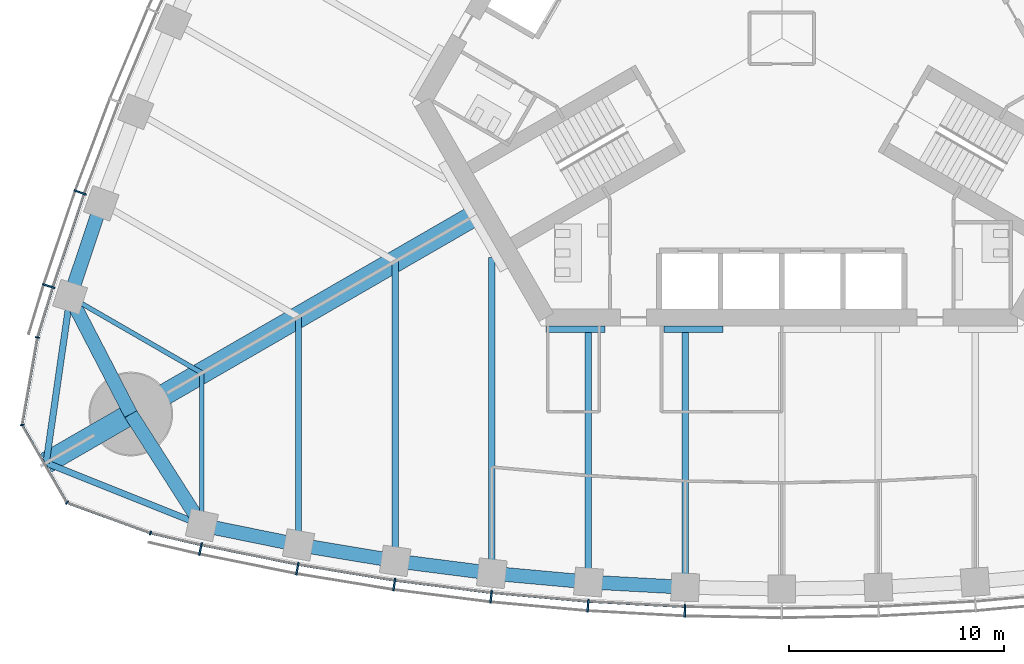
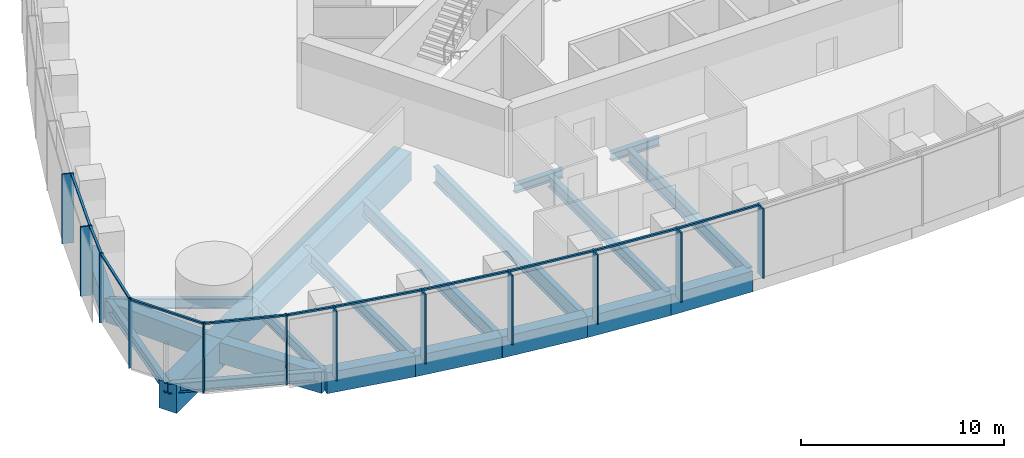
# One storey, part 2 of 19: 23 members, 21 beams, 3 elements without a shape of their own.
"""IFC4 building model written with IfcOpenShell, lengths in metres."""

from ifc_helpers import new_model, si_unit, direction, frame, origin, origin_2d, place, context, subcontext, project, spatial, rectangle, i_section, extrude, material, material_profile, profile_set, type_object, element, aggregate, save


model = new_model("IFC4")

# Units and contexts
model_context = context("Model", 3, precision=1e-05, world=origin(), true_north=direction((0.0, 1.0)))
body_context = subcontext(model_context, "Body", "Model", "MODEL_VIEW")
ifc_project = project(units=[si_unit("LENGTHUNIT", "METRE"), si_unit("AREAUNIT", "SQUARE_METRE"), si_unit("VOLUMEUNIT", "CUBIC_METRE"), si_unit("PLANEANGLEUNIT", "RADIAN"), si_unit("MASSUNIT", "GRAM", prefix="KILO")], contexts=[model_context])

# Site, building, storey
site_placement = place(None, origin())
site = spatial("IfcSite", under=ifc_project, at=site_placement, CompositionType="ELEMENT")
building_placement = place(site_placement, origin())
building = spatial("IfcBuilding", under=site, at=building_placement, Name="Trefoil Bronze Tower", CompositionType="ELEMENT")
storey_placement = place(building_placement, frame((0.0, 0.0, 124.10009765625)))
storey = spatial("IfcBuildingStorey", under=building, at=storey_placement, Name="L28", CompositionType="ELEMENT", Elevation=124.10009765625)

# Curtain wall, members
ifc_material_1 = material(Name="Tinted solar-control glass", Category="glass")
curtain_wall_type_1 = type_object("IfcCurtainWallType", Name="Bronze office curtain wall", PredefinedType="USERDEFINED", material=ifc_material_1)
curtain_wall_1_placement = place(storey_placement, origin())
curtain_wall_1 = element("IfcCurtainWall", 1, at=curtain_wall_1_placement, inside=storey, type_object=curtain_wall_type_1, Name="CW-A L28 F1", ObjectType="CURTAIN WALL", PredefinedType="USERDEFINED")
ifc_material_2 = material(Name="Bronze-finish aluminium", Category="aluminium")
ifc_material_profile_1 = material_profile(ifc_material_2, rectangle(XDim=0.60009765625, YDim=0.080078125, at=origin_2d()), Name="CW-A mullion")
ifc_profile_set_1 = profile_set([ifc_material_profile_1], Name="Bronze-finish aluminium")
member_type_1 = type_object("IfcMemberType", Name="Bronze office curtain wall mullion", PredefinedType="MULLION", material=ifc_profile_set_1)
member_1_placement = place(storey_placement, frame((-27.0634765625, -23.7890625, 0.0), z_axis=(0.0, 0.0, 1.0), x_axis=(0.21197042503, 0.977276081214, 0.0)))
member_1 = element("IfcMember", 2, at=member_1_placement, type_object=member_type_1, Name="CW-A L28 F1 mullion 2", PredefinedType="MULLION", context=body_context, shape_type="SweptSolid", body=[
    extrude(rectangle(XDim=0.60009765625, YDim=0.080078125, at=origin_2d()), origin(), (0.0, 0.0, 1.0), 4.179931640625),
])
member_2_placement = place(storey_placement, frame((-22.553955078125, -24.700927734375, 0.0), z_axis=(0.0, 0.0, 1.0), x_axis=(0.180240853954, 0.98362250613, 0.0)))
member_2 = element("IfcMember", 3, at=member_2_placement, type_object=member_type_1, Name="CW-A L28 F1 mullion 3", PredefinedType="MULLION", context=body_context, shape_type="SweptSolid", body=[
    extrude(rectangle(XDim=0.60009765625, YDim=0.080078125, at=origin_2d()), origin(), (0.0, 0.0, 1.0), 4.179931640625),
])
member_3_placement = place(storey_placement, frame((-18.043212890625, -25.4423828125, 0.0), z_axis=(0.0, 0.0, 1.0), x_axis=(0.144192103798, 0.989549714366, 0.0)))
member_3 = element("IfcMember", 4, at=member_3_placement, type_object=member_type_1, Name="CW-A L28 F1 mullion 4", PredefinedType="MULLION", context=body_context, shape_type="SweptSolid", body=[
    extrude(rectangle(XDim=0.60009765625, YDim=0.080078125, at=origin_2d()), origin(), (0.0, 0.0, 1.0), 4.179931640625),
])
member_4_placement = place(storey_placement, frame((-13.532470703125, -26.01611328125, 0.0), z_axis=(0.0, 0.0, 1.0), x_axis=(0.108143747013, 0.994135267447, 0.0)))
member_4 = element("IfcMember", 5, at=member_4_placement, type_object=member_type_1, Name="CW-A L28 F1 mullion 5", PredefinedType="MULLION", context=body_context, shape_type="SweptSolid", body=[
    extrude(rectangle(XDim=0.60009765625, YDim=0.080078125, at=origin_2d()), origin(), (0.0, 0.0, 1.0), 4.179931640625),
])
member_5_placement = place(storey_placement, frame((-9.021728515625, -26.424072265625, 0.0), z_axis=(0.0, 0.0, 1.0), x_axis=(0.072095676284, 0.997397720802, 0.0)))
member_5 = element("IfcMember", 6, at=member_5_placement, type_object=member_type_1, Name="CW-A L28 F1 mullion 6", PredefinedType="MULLION", context=body_context, shape_type="SweptSolid", body=[
    extrude(rectangle(XDim=0.60009765625, YDim=0.080078125, at=origin_2d()), origin(), (0.0, 0.0, 1.0), 4.179931640625),
])
member_6_placement = place(storey_placement, frame((-4.5107421875, -26.66845703125, 0.0), z_axis=(0.0, 0.0, 1.0), x_axis=(0.036047792107, 0.999350067136, 0.0)))
member_6 = element("IfcMember", 7, at=member_6_placement, type_object=member_type_1, Name="CW-A L28 F1 mullion 7", PredefinedType="MULLION", context=body_context, shape_type="SweptSolid", body=[
    extrude(rectangle(XDim=0.60009765625, YDim=0.080078125, at=origin_2d()), origin(), (0.0, 0.0, 1.0), 4.179931640625),
])

curtain_wall_2_placement = place(storey_placement, origin())
curtain_wall_2 = element("IfcCurtainWall", 8, at=curtain_wall_2_placement, inside=storey, type_object=curtain_wall_type_1, Name="CW-A L28 F3", ObjectType="CURTAIN WALL", PredefinedType="USERDEFINED")
member_7_placement = place(storey_placement, frame((-32.668701171875, -7.181884765625, 0.0), z_axis=(0.0, 0.0, 1.0), x_axis=(0.94196250502, -0.335718094742, 0.0)))
member_7 = element("IfcMember", 9, at=member_7_placement, type_object=member_type_1, Name="CW-A L28 F3 mullion 13", PredefinedType="MULLION", context=body_context, shape_type="SweptSolid", body=[
    extrude(rectangle(XDim=0.60009765625, YDim=0.080078125, at=origin_2d()), origin(), (0.0, 0.0, 1.0), 4.179931640625),
])
member_8_placement = place(storey_placement, frame((-34.1337890625, -11.543212890625, 0.0), z_axis=(0.0, 0.0, 1.0), x_axis=(0.952331125357, -0.30506626768, 0.0)))
member_8 = element("IfcMember", 10, at=member_8_placement, type_object=member_type_1, Name="CW-A L28 F3 mullion 14", PredefinedType="MULLION", context=body_context, shape_type="SweptSolid", body=[
    extrude(rectangle(XDim=0.60009765625, YDim=0.080078125, at=origin_2d()), origin(), (0.0, 0.0, 1.0), 4.179931640625),
])

# Member
ifc_material_3 = material(Name="Bronze-finish aluminium", Category="aluminium")
ifc_material_profile_2 = material_profile(ifc_material_3, rectangle(XDim=0.1201171875, YDim=0.10009765625, at=origin_2d()), Name="CW-A transom")
ifc_profile_set_2 = profile_set([ifc_material_profile_2], Name="Bronze-finish aluminium")
member_type_2 = type_object("IfcMemberType", Name="Bronze office curtain wall transom", PredefinedType="USERDEFINED", material=ifc_profile_set_2)
member_9_placement = place(storey_placement, frame((-29.34130859375, -23.05615234375, 4.1298828125), z_axis=(0.974206243495, -0.225659467196, 0.0), x_axis=(0.225659467196, 0.974206243495, 0.0)))
member_9 = element("IfcMember", 11, at=member_9_placement, type_object=member_type_2, Name="CW-A L28 F1 transom 1", ObjectType="TRANSOM", PredefinedType="USERDEFINED", context=body_context, shape_type="SweptSolid", body=[
    extrude(rectangle(XDim=0.1201171875, YDim=0.10009765625, at=origin_2d()), origin(), (0.0, 0.0, 1.0), 2.340087890625),
])

member_10_placement = place(storey_placement, frame((-26.980712890625, -23.601806640625, 4.1298828125), z_axis=(0.980153749225, -0.198238815273, 0.0), x_axis=(0.198238815273, 0.980153749225, 0.0)))
member_10 = element("IfcMember", 12, at=member_10_placement, type_object=member_type_2, Name="CW-A L28 F1 transom 2", ObjectType="TRANSOM", PredefinedType="USERDEFINED", context=body_context, shape_type="SweptSolid", body=[
    extrude(rectangle(XDim=0.1201171875, YDim=0.10009765625, at=origin_2d()), origin(), (0.0, 0.0, 1.0), 4.51123046875),
])

member_11_placement = place(storey_placement, frame((-22.476806640625, -24.510986328125, 4.1298828125), z_axis=(0.986755265284, -0.162216048636, 0.0), x_axis=(0.162216048636, 0.986755265284, 0.0)))
member_11 = element("IfcMember", 13, at=member_11_placement, type_object=member_type_2, Name="CW-A L28 F1 transom 3", ObjectType="TRANSOM", PredefinedType="USERDEFINED", context=body_context, shape_type="SweptSolid", body=[
    extrude(rectangle(XDim=0.1201171875, YDim=0.10009765625, at=origin_2d()), origin(), (0.0, 0.0, 1.0), 4.48046875),
])

member_12_placement = place(storey_placement, frame((-17.972900390625, -25.249755859375, 4.1298828125), z_axis=(0.992008387848, -0.12617193998, 0.0), x_axis=(0.12617193998, 0.992008387848, 0.0)))
member_12 = element("IfcMember", 14, at=member_12_placement, type_object=member_type_2, Name="CW-A L28 F1 transom 4", ObjectType="TRANSOM", PredefinedType="USERDEFINED", context=body_context, shape_type="SweptSolid", body=[
    extrude(rectangle(XDim=0.1201171875, YDim=0.10009765625, at=origin_2d()), origin(), (0.0, 0.0, 1.0), 4.456298828125),
])

member_13_placement = place(storey_placement, frame((-13.46923828125, -25.821044921875, 4.1298828125), z_axis=(0.995932787062, -0.090099298863, 0.0), x_axis=(0.090099298863, 0.995932787062, 0.0)))
member_13 = element("IfcMember", 15, at=member_13_placement, type_object=member_type_2, Name="CW-A L28 F1 transom 5", ObjectType="TRANSOM", PredefinedType="USERDEFINED", context=body_context, shape_type="SweptSolid", body=[
    extrude(rectangle(XDim=0.1201171875, YDim=0.10009765625, at=origin_2d()), origin(), (0.0, 0.0, 1.0), 4.4384765625),
])

member_14_placement = place(storey_placement, frame((-8.965576171875, -26.22705078125, 4.1298828125), z_axis=(0.998538253569, -0.054049571306, 0.0), x_axis=(0.054049571306, 0.998538253569, 0.0)))
member_14 = element("IfcMember", 16, at=member_14_placement, type_object=member_type_2, Name="CW-A L28 F1 transom 6", ObjectType="TRANSOM", PredefinedType="USERDEFINED", context=body_context, shape_type="SweptSolid", body=[
    extrude(rectangle(XDim=0.1201171875, YDim=0.10009765625, at=origin_2d()), origin(), (0.0, 0.0, 1.0), 4.4267578125),
])

aggregate(curtain_wall_1, [member_1, member_2, member_3, member_4, member_5, member_6, member_9, member_10, member_11, member_12, member_13, member_14])

member_15_placement = place(storey_placement, frame((-32.49365234375, -7.28857421875, 4.1298828125), z_axis=(-0.318386323729, -0.947961048178, 0.0), x_axis=(0.947961048178, -0.318386323729, 0.0)))
member_15 = element("IfcMember", 17, at=member_15_placement, type_object=member_type_2, Name="CW-A L28 F3 transom 13", ObjectType="TRANSOM", PredefinedType="USERDEFINED", context=body_context, shape_type="SweptSolid", body=[
    extrude(rectangle(XDim=0.1201171875, YDim=0.10009765625, at=origin_2d()), origin(), (0.0, 0.0, 1.0), 4.51123046875),
])

member_16_placement = place(storey_placement, frame((-33.955322265625, -11.643798828125, 4.1298828125), z_axis=(-0.291680468798, -0.956515814883, 0.0), x_axis=(0.956515814883, -0.291680468798, 0.0)))
member_16 = element("IfcMember", 18, at=member_16_placement, type_object=member_type_2, Name="CW-A L28 F3 transom 14", ObjectType="TRANSOM", PredefinedType="USERDEFINED", context=body_context, shape_type="SweptSolid", body=[
    extrude(rectangle(XDim=0.1201171875, YDim=0.10009765625, at=origin_2d()), origin(), (0.0, 0.0, 1.0), 2.34033203125),
])

aggregate(curtain_wall_2, [member_7, member_8, member_15, member_16])

# Curtain wall, members
ifc_material_4 = material(Name="Tinted solar-control glass", Category="glass")
curtain_wall_type_2 = type_object("IfcCurtainWallType", Name="Bronze rounded corner curtain wall", PredefinedType="USERDEFINED", material=ifc_material_4)
curtain_wall_3_placement = place(storey_placement, origin())
curtain_wall_3 = element("IfcCurtainWall", 19, at=curtain_wall_3_placement, inside=storey, type_object=curtain_wall_type_2, Name="CW-B L28 K3", ObjectType="CURTAIN WALL", PredefinedType="USERDEFINED")
ifc_material_5 = material(Name="Bronze-finish aluminium", Category="aluminium")
ifc_material_profile_3 = material_profile(ifc_material_5, rectangle(XDim=0.199951171875, YDim=0.06005859375, at=origin_2d()), Name="CW-B mullion")
ifc_profile_set_3 = profile_set([ifc_material_profile_3], Name="Bronze-finish aluminium")
member_type_3 = type_object("IfcMemberType", Name="Bronze rounded corner curtain wall mullion", PredefinedType="MULLION", material=ifc_profile_set_3)
member_17_placement = place(storey_placement, frame((-34.65234375, -13.932373046875, 0.0), z_axis=(0.0, 0.0, 1.0), x_axis=(0.984807753012, -0.173648177667, 0.0)))
member_17 = element("IfcMember", 20, at=member_17_placement, type_object=member_type_3, Name="CW-B L28 K3 mullion 1", PredefinedType="MULLION", context=body_context, shape_type="SweptSolid", body=[
    extrude(rectangle(XDim=0.199951171875, YDim=0.06005859375, at=origin_2d()), origin(), (0.0, 0.0, 1.0), 4.179931640625),
])
member_18_placement = place(storey_placement, frame((-35.364990234375, -18.009033203125, 0.0), z_axis=(0.0, 0.0, 1.0), x_axis=(0.984807753012, 0.173648177667, 0.0)))
member_18 = element("IfcMember", 21, at=member_18_placement, type_object=member_type_3, Name="CW-B L28 K3 mullion 2", PredefinedType="MULLION", context=body_context, shape_type="SweptSolid", body=[
    extrude(rectangle(XDim=0.199951171875, YDim=0.06005859375, at=origin_2d()), origin(), (0.0, 0.0, 1.0), 4.179931640625),
])
member_19_placement = place(storey_placement, frame((-33.27880859375, -21.62255859375, 0.0), z_axis=(0.0, 0.0, 1.0), x_axis=(0.642787609687, 0.766044443119, 0.0)))
member_19 = element("IfcMember", 22, at=member_19_placement, type_object=member_type_3, Name="CW-B L28 K3 mullion 3", PredefinedType="MULLION", context=body_context, shape_type="SweptSolid", body=[
    extrude(rectangle(XDim=0.199951171875, YDim=0.06005859375, at=origin_2d()), origin(), (0.0, 0.0, 1.0), 4.179931640625),
])
member_20_placement = place(storey_placement, frame((-29.391845703125, -23.043701171875, 0.0), z_axis=(0.0, 0.0, 1.0), x_axis=(0.342020143326, 0.939692620786, 0.0)))
member_20 = element("IfcMember", 23, at=member_20_placement, type_object=member_type_3, Name="CW-B L28 K3 mullion 4", PredefinedType="MULLION", context=body_context, shape_type="SweptSolid", body=[
    extrude(rectangle(XDim=0.199951171875, YDim=0.06005859375, at=origin_2d()), origin(), (0.0, 0.0, 1.0), 4.179931640625),
])
ifc_material_6 = material(Name="Bronze-finish aluminium", Category="aluminium")
ifc_material_profile_4 = material_profile(ifc_material_6, rectangle(XDim=0.1201171875, YDim=0.10009765625, at=origin_2d()), Name="CW-B transom")
ifc_profile_set_4 = profile_set([ifc_material_profile_4], Name="Bronze-finish aluminium")
member_type_4 = type_object("IfcMemberType", Name="Bronze rounded corner curtain wall transom", PredefinedType="USERDEFINED", material=ifc_profile_set_4)
member_21_placement = place(storey_placement, frame((-34.657470703125, -13.9619140625, 4.1298828125), z_axis=(-0.173682016639, -0.984801785689, 0.0), x_axis=(0.984801785689, -0.173682016639, 0.0)))
member_21 = element("IfcMember", 24, at=member_21_placement, type_object=member_type_4, Name="CW-B L28 K3 transom 1", ObjectType="TRANSOM", PredefinedType="USERDEFINED", context=body_context, shape_type="SweptSolid", body=[
    extrude(rectangle(XDim=0.1201171875, YDim=0.10009765625, at=origin_2d()), origin(), (0.0, 0.0, 1.0), 4.044189453125),
])
member_22_placement = place(storey_placement, frame((-35.338134765625, -18.067626953125, 4.1298828125), z_axis=(0.500015078168, -0.866016698225, 0.0), x_axis=(0.866016698225, 0.500015078168, 0.0)))
member_22 = element("IfcMember", 25, at=member_22_placement, type_object=member_type_4, Name="CW-B L28 K3 transom 2", ObjectType="TRANSOM", PredefinedType="USERDEFINED", context=body_context, shape_type="SweptSolid", body=[
    extrude(rectangle(XDim=0.1201171875, YDim=0.10009765625, at=origin_2d()), origin(), (0.0, 0.0, 1.0), 4.04443359375),
])
member_23_placement = place(storey_placement, frame((-33.220458984375, -21.650146484375, 4.1298828125), z_axis=(0.939684096629, -0.342043562347, 0.0), x_axis=(0.342043562347, 0.939684096629, 0.0)))
member_23 = element("IfcMember", 26, at=member_23_placement, type_object=member_type_4, Name="CW-B L28 K3 transom 3", ObjectType="TRANSOM", PredefinedType="USERDEFINED", context=body_context, shape_type="SweptSolid", body=[
    extrude(rectangle(XDim=0.1201171875, YDim=0.10009765625, at=origin_2d()), origin(), (0.0, 0.0, 1.0), 4.044189453125),
])
aggregate(curtain_wall_3, [member_17, member_18, member_19, member_20, member_21, member_22, member_23])

# Beams
ifc_material_7 = material(Name="Steel C355", Category="steel")
ifc_material_profile_5 = material_profile(ifc_material_7, i_section(OverallWidth=0.300048828125, OverallDepth=0.5, WebThickness=0.014404296875, FlangeThickness=0.028076171875, FilletRadius=0.027099609375, at=origin_2d()), Name="HEB 500")
ifc_profile_set_5 = profile_set([ifc_material_profile_5], Name="Steel C355")
beam_type_1 = type_object("IfcBeamType", Name="Core seat beam HEB 500", PredefinedType="BEAM", material=ifc_profile_set_5)
for number, where, z_axis, x_axis, name in (
    (27, (-10.9697265625, -13.550048828125, -0.4501953125), (1.0, 0.0, 0.0), (0.0, 1.0, 0.0), "Core seat beam F1/-2 L28"),
    (28, (-5.48486328125, -13.550048828125, -0.4501953125), (1.0, 0.0, 0.0), (0.0, 1.0, 0.0), "Core seat beam F1/-1 L28"),
):
    element("IfcBeam", number, at=place(storey_placement, frame(where, z_axis=z_axis, x_axis=x_axis)), inside=storey, type_object=beam_type_1, Name=name, PredefinedType="BEAM", context=body_context, shape_type="SweptSolid", body=[
        extrude(i_section(OverallWidth=0.300048828125, OverallDepth=0.5, WebThickness=0.014404296875, FlangeThickness=0.028076171875, FilletRadius=0.027099609375, at=origin_2d()), origin(), (0.0, 0.0, 1.0), 2.742431640625),
    ])
ifc_material_8 = material(Name="Concrete B80", Category="concrete")
ifc_material_profile_6 = material_profile(ifc_material_8, rectangle(XDim=1.0, YDim=1.699951171875, at=origin_2d()), Name="RC 1000x1700")
ifc_profile_set_6 = profile_set([ifc_material_profile_6], Name="Concrete B80")
beam_type_2 = type_object("IfcBeamType", Name="Corner cantilever RC 1000x1700", PredefinedType="BEAM", material=ifc_profile_set_6)
beam_1_placement = place(storey_placement, frame((-30.310791015625, -17.5, -1.050048828125), z_axis=(-0.866031878637, -0.499988785058, 0.0), x_axis=(0.499988785058, -0.866031878637, 0.0)))
element("IfcBeam", 29, at=beam_1_placement, inside=storey, type_object=beam_type_2, Name="Corner cantilever K3 L28", PredefinedType="BEAM", context=body_context, shape_type="SweptSolid", body=[
    extrude(rectangle(XDim=1.0, YDim=1.699951171875, at=origin_2d()), origin(), (0.0, 0.0, 1.0), 4.54931640625),
])
ifc_material_9 = material(Name="Steel C355", Category="steel")
ifc_material_profile_7 = material_profile(ifc_material_9, i_section(OverallWidth=0.300048828125, OverallDepth=0.60009765625, WebThickness=0.015380859375, FlangeThickness=0.030029296875, FilletRadius=0.027099609375, at=origin_2d()), Name="HEB 600")
ifc_profile_set_7 = profile_set([ifc_material_profile_7], Name="Steel C355")
beam_type_3 = type_object("IfcBeamType", Name="Corner edge beam HEB 600", PredefinedType="BEAM", material=ifc_profile_set_7)
for number, where, z_axis, x_axis, name in (
    (30, (-27.0, -22.67724609375, -0.5), (-0.928375332495, 0.371643972122, 0.0), (-0.371643972122, -0.928375332495, 0.0), "Corner edge beam F1B L28"),
    (31, (-33.13916015625, -12.044189453125, -0.5), (-0.142327214588, -0.989819662357, 0.0), (0.989819662357, -0.142327214588, 0.0), "Corner edge beam F3A L28"),
):
    element("IfcBeam", number, at=place(storey_placement, frame(where, z_axis=z_axis, x_axis=x_axis)), inside=storey, type_object=beam_type_3, Name=name, PredefinedType="BEAM", context=body_context, shape_type="SweptSolid", body=[
        extrude(i_section(OverallWidth=0.300048828125, OverallDepth=0.60009765625, WebThickness=0.015380859375, FlangeThickness=0.030029296875, FilletRadius=0.027099609375, at=origin_2d()), origin(), (0.0, 0.0, 1.0), 7.81005859375),
    ])
ifc_material_10 = material(Name="Concrete B80", Category="concrete")
ifc_material_profile_8 = material_profile(ifc_material_10, rectangle(XDim=1.0, YDim=1.699951171875, at=origin_2d()), Name="RC 1000x1700")
ifc_profile_set_8 = profile_set([ifc_material_profile_8], Name="Concrete B80")
beam_type_4 = type_object("IfcBeamType", Name="Corner girder RC 1000x1700", PredefinedType="BEAM", material=ifc_profile_set_8)
beam_2_placement = place(storey_placement, frame((-14.202880859375, -8.199951171875, -1.050048828125), z_axis=(-0.866022084834, -0.500005748546, 0.0), x_axis=(0.500005748546, -0.866022084834, 0.0)))
element("IfcBeam", 32, at=beam_2_placement, inside=storey, type_object=beam_type_4, Name="Corner girder K3 L28", PredefinedType="BEAM", context=body_context, shape_type="SweptSolid", body=[
    extrude(rectangle(XDim=1.0, YDim=1.699951171875, at=origin_2d()), origin(), (0.0, 0.0, 1.0), 18.599853515625),
])
ifc_material_11 = material(Name="Concrete B80", Category="concrete")
ifc_material_profile_9 = material_profile(ifc_material_11, rectangle(XDim=0.64990234375, YDim=1.25, at=origin_2d()), Name="RC 650x1250")
ifc_profile_set_9 = profile_set([ifc_material_profile_9], Name="Concrete B80")
beam_type_5 = type_object("IfcBeamType", Name="End spandrel beam RC 650x1250", PredefinedType="SPANDREL", material=ifc_profile_set_9)
for number, where, z_axis, x_axis, name in (
    (33, (-30.310791015625, -17.5, -0.8251953125), (0.53874814953, -0.84246687257, 0.0), (0.84246687257, 0.53874814953, 0.0), "Spandrel F1.1 L28"),
    (34, (-33.13916015625, -12.044189453125, -0.8251953125), (0.460244107083, -0.887792409235, 0.0), (0.887792409235, 0.460244107083, 0.0), "Spandrel F3.14 L28"),
):
    element("IfcBeam", number, at=place(storey_placement, frame(where, z_axis=z_axis, x_axis=x_axis)), inside=storey, type_object=beam_type_5, Name=name, PredefinedType="SPANDREL", context=body_context, shape_type="SweptSolid", body=[
        extrude(rectangle(XDim=0.64990234375, YDim=1.25, at=origin_2d()), origin(), (0.0, 0.0, 1.0), 6.145263671875),
    ])
ifc_material_12 = material(Name="Steel C355", Category="steel")
ifc_material_profile_10 = material_profile(ifc_material_12, i_section(OverallWidth=0.300048828125, OverallDepth=1.0, WebThickness=0.01904296875, FlangeThickness=0.035888671875, FilletRadius=0.030029296875, at=origin_2d()), Name="HEB 1000")
ifc_profile_set_10 = profile_set([ifc_material_profile_10], Name="Steel C355")
beam_type_6 = type_object("IfcBeamType", Name="Floor beam HEB 1000", PredefinedType="BEAM", material=ifc_profile_set_10)
beam_3_placement = place(storey_placement, frame((-13.5, -24.9130859375, -0.7001953125), z_axis=(0.0, 1.0, 0.0), x_axis=(-1.0, 0.0, 0.0)))
element("IfcBeam", 35, at=beam_3_placement, inside=storey, type_object=beam_type_6, Name="Floor beam F1/-3 L28", PredefinedType="BEAM", context=body_context, shape_type="SweptSolid", body=[
    extrude(i_section(OverallWidth=0.300048828125, OverallDepth=1.0, WebThickness=0.01904296875, FlangeThickness=0.035888671875, FilletRadius=0.030029296875, at=origin_2d()), origin(), (0.0, 0.0, 1.0), 14.69580078125),
])
ifc_material_13 = material(Name="Steel C355", Category="steel")
ifc_material_profile_11 = material_profile(ifc_material_13, i_section(OverallWidth=0.300048828125, OverallDepth=0.699951171875, WebThickness=0.01708984375, FlangeThickness=0.031982421875, FilletRadius=0.027099609375, at=origin_2d()), Name="HEB 700")
ifc_profile_set_11 = profile_set([ifc_material_profile_11], Name="Steel C355")
beam_type_7 = type_object("IfcBeamType", Name="Floor beam HEB 700", PredefinedType="BEAM", material=ifc_profile_set_11)
beam_4_placement = place(storey_placement, frame((-22.5, -23.592529296875, -0.550048828125), z_axis=(0.0, 1.0, 0.0), x_axis=(-1.0, 0.0, 0.0)))
element("IfcBeam", 36, at=beam_4_placement, inside=storey, type_object=beam_type_7, Name="Floor beam F1/-5 L28", PredefinedType="BEAM", context=body_context, shape_type="SweptSolid", body=[
    extrude(i_section(OverallWidth=0.300048828125, OverallDepth=0.699951171875, WebThickness=0.01708984375, FlangeThickness=0.031982421875, FilletRadius=0.027099609375, at=origin_2d()), origin(), (0.0, 0.0, 1.0), 10.60205078125),
])
beam_5_placement = place(storey_placement, frame((-9.0, -25.32275390625, -0.550048828125), z_axis=(0.0, 1.0, 0.0), x_axis=(-1.0, 0.0, 0.0)))
element("IfcBeam", 37, at=beam_5_placement, inside=storey, type_object=beam_type_7, Name="Floor beam F1/-2 L28", PredefinedType="BEAM", context=body_context, shape_type="SweptSolid", body=[
    extrude(i_section(OverallWidth=0.300048828125, OverallDepth=0.699951171875, WebThickness=0.01708984375, FlangeThickness=0.031982421875, FilletRadius=0.027099609375, at=origin_2d()), origin(), (0.0, 0.0, 1.0), 11.622802734375),
])
ifc_material_14 = material(Name="Steel C355", Category="steel")
ifc_material_profile_12 = material_profile(ifc_material_14, i_section(OverallWidth=0.300048828125, OverallDepth=0.800048828125, WebThickness=0.017578125, FlangeThickness=0.032958984375, FilletRadius=0.030029296875, at=origin_2d()), Name="HEB 800")
ifc_profile_set_12 = profile_set([ifc_material_profile_12], Name="Steel C355")
beam_type_8 = type_object("IfcBeamType", Name="Floor beam HEB 800", PredefinedType="BEAM", material=ifc_profile_set_12)
beam_6_placement = place(storey_placement, frame((-4.5, -25.568115234375, -0.60009765625), z_axis=(0.0, 1.0, 0.0), x_axis=(-1.0, 0.0, 0.0)))
element("IfcBeam", 38, at=beam_6_placement, inside=storey, type_object=beam_type_8, Name="Floor beam F1/-1 L28", PredefinedType="BEAM", context=body_context, shape_type="SweptSolid", body=[
    extrude(i_section(OverallWidth=0.300048828125, OverallDepth=0.800048828125, WebThickness=0.017578125, FlangeThickness=0.032958984375, FilletRadius=0.030029296875, at=origin_2d()), origin(), (0.0, 0.0, 1.0), 11.8681640625),
])
ifc_material_15 = material(Name="Steel C355", Category="steel")
ifc_material_profile_13 = material_profile(ifc_material_15, i_section(OverallWidth=0.300048828125, OverallDepth=0.89990234375, WebThickness=0.0185546875, FlangeThickness=0.034912109375, FilletRadius=0.030029296875, at=origin_2d()), Name="HEB 900")
ifc_profile_set_13 = profile_set([ifc_material_profile_13], Name="Steel C355")
beam_type_9 = type_object("IfcBeamType", Name="Floor beam HEB 900", PredefinedType="BEAM", material=ifc_profile_set_13)
beam_7_placement = place(storey_placement, frame((-18.0, -24.337158203125, -0.650146484375), z_axis=(0.0, 1.0, 0.0), x_axis=(-1.0, 0.0, 0.0)))
element("IfcBeam", 39, at=beam_7_placement, inside=storey, type_object=beam_type_9, Name="Floor beam F1/-4 L28", PredefinedType="BEAM", context=body_context, shape_type="SweptSolid", body=[
    extrude(i_section(OverallWidth=0.300048828125, OverallDepth=0.89990234375, WebThickness=0.0185546875, FlangeThickness=0.034912109375, FilletRadius=0.030029296875, at=origin_2d()), origin(), (0.0, 0.0, 1.0), 13.94482421875),
])
ifc_material_16 = material(Name="Steel C355", Category="steel")
ifc_material_profile_14 = material_profile(ifc_material_16, i_section(OverallWidth=0.219970703125, OverallDepth=0.60009765625, WebThickness=0.011962890625, FlangeThickness=0.01904296875, FilletRadius=0.02392578125, at=origin_2d()), Name="IPE 600")
ifc_profile_set_14 = profile_set([ifc_material_profile_14], Name="Steel C355")
beam_type_10 = type_object("IfcBeamType", Name="Floor beam IPE 600", PredefinedType="BEAM", material=ifc_profile_set_14)
for number, where, z_axis, x_axis, name in (
    (40, (-27.0, -22.67724609375, -0.5), (0.0, 1.0, 0.0), (-1.0, 0.0, 0.0), "Floor beam F1/-6 L28"),
    (41, (-33.13916015625, -12.044189453125, -0.5), (0.866041060244, -0.499972881236, 0.0), (0.499972881236, 0.866041060244, 0.0), "Floor beam F3/+6 L28"),
):
    element("IfcBeam", number, at=place(storey_placement, frame(where, z_axis=z_axis, x_axis=x_axis)), inside=storey, type_object=beam_type_10, Name=name, PredefinedType="BEAM", context=body_context, shape_type="SweptSolid", body=[
        extrude(i_section(OverallWidth=0.219970703125, OverallDepth=0.60009765625, WebThickness=0.011962890625, FlangeThickness=0.01904296875, FilletRadius=0.02392578125, at=origin_2d()), origin(), (0.0, 0.0, 1.0), 7.0888671875),
    ])
ifc_material_17 = material(Name="Concrete B80", Category="concrete")
ifc_material_profile_15 = material_profile(ifc_material_17, rectangle(XDim=0.64990234375, YDim=1.25, at=origin_2d()), Name="RC 650x1250")
ifc_profile_set_15 = profile_set([ifc_material_profile_15], Name="Concrete B80")
beam_type_11 = type_object("IfcBeamType", Name="Spandrel beam RC 650x1250", PredefinedType="SPANDREL", material=ifc_profile_set_15)
beam_8_placement = place(storey_placement, frame((-27.0, -22.67724609375, -0.8251953125), z_axis=(0.979935430296, -0.199315208777, 0.0), x_axis=(0.199315208777, 0.979935430296, 0.0)))
element("IfcBeam", 42, at=beam_8_placement, inside=storey, type_object=beam_type_11, Name="Spandrel F1.2 L28", PredefinedType="SPANDREL", context=body_context, shape_type="SweptSolid", body=[
    extrude(rectangle(XDim=0.64990234375, YDim=1.25, at=origin_2d()), origin(), (0.0, 0.0, 1.0), 4.592041015625),
])
beam_9_placement = place(storey_placement, frame((-22.5, -23.592529296875, -0.8251953125), z_axis=(0.986584214684, -0.163253138823, 0.0), x_axis=(0.163253138823, 0.986584214684, 0.0)))
element("IfcBeam", 43, at=beam_9_placement, inside=storey, type_object=beam_type_11, Name="Spandrel F1.3 L28", PredefinedType="SPANDREL", context=body_context, shape_type="SweptSolid", body=[
    extrude(rectangle(XDim=0.64990234375, YDim=1.25, at=origin_2d()), origin(), (0.0, 0.0, 1.0), 4.561279296875),
])
beam_10_placement = place(storey_placement, frame((-18.0, -24.337158203125, -0.8251953125), z_axis=(0.991909314257, -0.126948463126, 0.0), x_axis=(0.126948463126, 0.991909314257, 0.0)))
element("IfcBeam", 44, at=beam_10_placement, inside=storey, type_object=beam_type_11, Name="Spandrel F1.4 L28", PredefinedType="SPANDREL", context=body_context, shape_type="SweptSolid", body=[
    extrude(rectangle(XDim=0.64990234375, YDim=1.25, at=origin_2d()), origin(), (0.0, 0.0, 1.0), 4.53662109375),
])
beam_11_placement = place(storey_placement, frame((-13.5, -24.9130859375, -0.8251953125), z_axis=(0.995881683815, -0.090662405894, 0.0), x_axis=(0.090662405894, 0.995881683815, 0.0)))
element("IfcBeam", 45, at=beam_11_placement, inside=storey, type_object=beam_type_11, Name="Spandrel F1.5 L28", PredefinedType="SPANDREL", context=body_context, shape_type="SweptSolid", body=[
    extrude(rectangle(XDim=0.64990234375, YDim=1.25, at=origin_2d()), origin(), (0.0, 0.0, 1.0), 4.5185546875),
])
beam_12_placement = place(storey_placement, frame((-9.0, -25.32275390625, -0.8251953125), z_axis=(0.998516832602, -0.054443870267, 0.0), x_axis=(0.054443870267, 0.998516832602, 0.0)))
element("IfcBeam", 46, at=beam_12_placement, inside=storey, type_object=beam_type_11, Name="Spandrel F1.6 L28", PredefinedType="SPANDREL", context=body_context, shape_type="SweptSolid", body=[
    extrude(rectangle(XDim=0.64990234375, YDim=1.25, at=origin_2d()), origin(), (0.0, 0.0, 1.0), 4.506591796875),
])
beam_13_placement = place(storey_placement, frame((-31.681884765625, -7.689208984375, -0.8251953125), z_axis=(-0.31732802068, -0.948315837309, 0.0), x_axis=(0.948315837309, -0.31732802068, 0.0)))
element("IfcBeam", 47, at=beam_13_placement, inside=storey, type_object=beam_type_11, Name="Spandrel F3.13 L28", PredefinedType="SPANDREL", context=body_context, shape_type="SweptSolid", body=[
    extrude(rectangle(XDim=0.64990234375, YDim=1.25, at=origin_2d()), origin(), (0.0, 0.0, 1.0), 4.59228515625),
])

save(model, "model.ifc")
